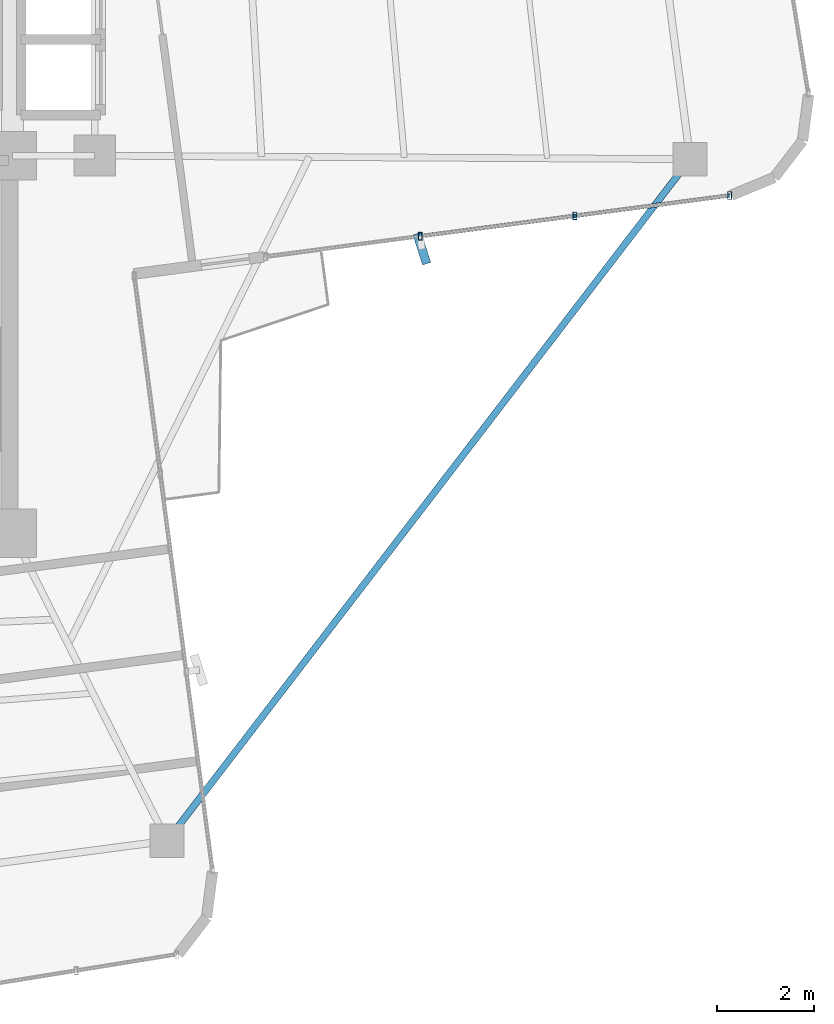
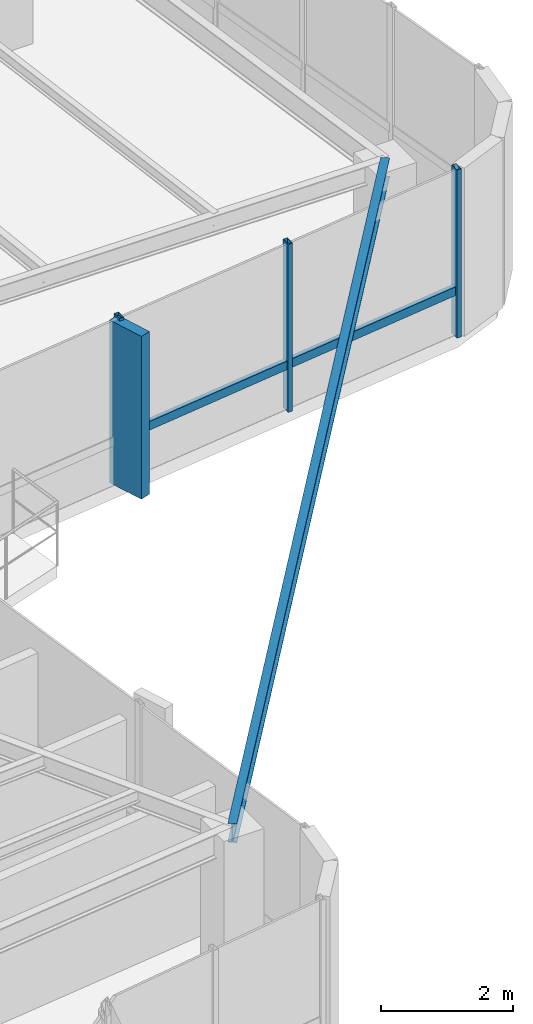
# One storey, part 12 of 22: 6 members, 1 beam, 1 element without a shape of its own.
"""IFC4 building model written with IfcOpenShell, lengths in metres."""

from ifc_helpers import new_model, si_unit, direction, frame, origin, origin_2d, place, context, subcontext, project, spatial, rectangle, hollow_rectangle, i_section, extrude, source, transform, mapped, material, material_profile, profile_set, type_object, element, aggregate, save


model = new_model("IFC4")

# Units and contexts
model_context = context("Model", 3, precision=1e-05, world=origin(), true_north=direction((0.0, 1.0)))
body_context = subcontext(model_context, "Body", "Model", "MODEL_VIEW")
ifc_project = project(units=[si_unit("LENGTHUNIT", "METRE"), si_unit("AREAUNIT", "SQUARE_METRE"), si_unit("VOLUMEUNIT", "CUBIC_METRE"), si_unit("PLANEANGLEUNIT", "RADIAN"), si_unit("MASSUNIT", "GRAM", prefix="KILO")], contexts=[model_context])

# Site, building, storey
site_placement = place(None, origin())
site = spatial("IfcSite", under=ifc_project, at=site_placement, CompositionType="ELEMENT")
building_placement = place(site_placement, origin())
building = spatial("IfcBuilding", under=site, at=building_placement, Name="Sahyath Konkavel Grand Hotel", CompositionType="ELEMENT")
storey_placement = place(building_placement, frame((0.0, 0.0, 237.800048828125)))
storey = spatial("IfcBuildingStorey", under=building, at=storey_placement, Name="L66", CompositionType="ELEMENT", Elevation=237.800048828125)

# Beam
ifc_material_1 = material(Name="Steel E350", Category="steel")
ifc_material_profile_1 = material_profile(ifc_material_1, i_section(OverallWidth=0.139892578125, OverallDepth=0.35009765625, WebThickness=0.008056640625, FlangeThickness=0.01416015625, FilletRadius=0.013916015625, at=origin_2d()), Name="ISMB 350")
ifc_profile_set_1 = profile_set([ifc_material_profile_1], Name="Steel E350")
beam_type = type_object("IfcBeamType", Name="BM-ISMB350", PredefinedType="BEAM", material=ifc_profile_set_1)
shared_shape_1 = source(origin(), body_context, "Body", "SweptSolid", [
    extrude(i_section(OverallWidth=0.139892578125, OverallDepth=0.35009765625, WebThickness=0.008056640625, FlangeThickness=0.01416015625, FilletRadius=0.013916015625, at=origin_2d()), origin(), (0.0, 0.0, 1.0), 17.741455078125),
])
beam_placement = place(storey_placement, frame((17.795166015625, -2.473388671875, 2.93505859375), z_axis=(-0.60876198757, -0.793352911691, 0.0), x_axis=(0.793352911691, -0.60876198757, 0.0)))
element("IfcBeam", 1, at=beam_placement, inside=storey, type_object=beam_type, Name="L66 Re-Entrant Tie Beam SE", PredefinedType="BEAM", context=body_context, shape_type="MappedRepresentation", body=[
    mapped(shared_shape_1, transform((0.0, 0.0, 0.0), scale=1.0)),
])

# Curtain wall, members
ifc_material_2 = material(Name="Anodised Bronze Aluminium & Low-E Glazing", Category="aluminium")
curtain_wall_type = type_object("IfcCurtainWallType", Name="CW-ZONE4", PredefinedType="NOTDEFINED", material=ifc_material_2)
curtain_wall_placement = place(storey_placement, origin())
curtain_wall = element("IfcCurtainWall", 2, at=curtain_wall_placement, inside=storey, type_object=curtain_wall_type, Name="L66 Unitised Curtain Wall F0", PredefinedType="NOTDEFINED")
ifc_material_3 = material(Name="Anodised Bronze Aluminium", Category="aluminium")
ifc_material_profile_2 = material_profile(ifc_material_3, hollow_rectangle(XDim=0.080078125, YDim=0.159912109375, WallThickness=0.006103515625, at=origin_2d()), Name="RHS 160x80x6")
ifc_profile_set_2 = profile_set([ifc_material_profile_2], Name="Anodised Bronze Aluminium")
member_type_1 = type_object("IfcMemberType", Name="CW-MUL-160", PredefinedType="MULLION", material=ifc_profile_set_2)
shared_shape_2 = source(origin(), body_context, "Body", "SweptSolid", [
    extrude(hollow_rectangle(XDim=0.080078125, YDim=0.159912109375, WallThickness=0.006103515625, at=origin_2d()), origin(), (0.0, 0.0, 1.0), 3.10986328125),
])
member_1_placement = place(storey_placement, frame((12.2216796875, -4.064697265625, 0.0), z_axis=(0.0, 0.0, 1.0), x_axis=(1.0, 0.0, 0.0)))
member_1 = element("IfcMember", 3, at=member_1_placement, type_object=member_type_1, Name="L66 Curtain Wall Mullion F0-1", PredefinedType="MULLION", context=body_context, shape_type="MappedRepresentation", body=[
    mapped(shared_shape_2, transform((0.0, 0.0, 0.0), scale=1.0)),
])
member_2_placement = place(storey_placement, frame((15.415771484375, -3.64404296875, 0.0), z_axis=(0.0, 0.0, 1.0), x_axis=(1.0, 0.0, 0.0)))
member_2 = element("IfcMember", 4, at=member_2_placement, type_object=member_type_1, Name="L66 Curtain Wall Mullion F0-2", PredefinedType="MULLION", context=body_context, shape_type="MappedRepresentation", body=[
    mapped(shared_shape_2, transform((0.0, 0.0, 0.0), scale=1.0)),
])
member_3_placement = place(storey_placement, frame((18.60986328125, -3.223388671875, 0.0), z_axis=(0.0, 0.0, 1.0), x_axis=(1.0, 0.0, 0.0)))
member_3 = element("IfcMember", 5, at=member_3_placement, type_object=member_type_1, Name="L66 Curtain Wall Mullion F0-3", PredefinedType="MULLION", context=body_context, shape_type="MappedRepresentation", body=[
    mapped(shared_shape_2, transform((0.0, 0.0, 0.0), scale=1.0)),
])
ifc_material_4 = material(Name="Warm Buff Sandstone Cladding on Concrete C50/60", Category="masonry")
ifc_material_profile_3 = material_profile(ifc_material_4, rectangle(XDim=0.179931640625, YDim=0.64990234375, at=origin_2d()), Name="FIN 180x650")
ifc_profile_set_3 = profile_set([ifc_material_profile_3], Name="Warm Buff Sandstone Cladding on Concrete C50/60")
member_type_2 = type_object("IfcMemberType", Name="FIN-SANDSTONE-650", PredefinedType="MULLION", material=ifc_profile_set_3)
shared_shape_3 = source(origin(), body_context, "Body", "SweptSolid", [
    extrude(rectangle(XDim=0.179931640625, YDim=0.64990234375, at=origin_2d()), origin(), (0.0, 0.0, 1.0), 3.010009765625),
])
member_4_placement = place(storey_placement, frame((12.255615234375, -4.322509765625, 0.050048828125), z_axis=(0.0, 0.0, 1.0), x_axis=(0.952502159334, 0.304531831612, 0.0)))
member_4 = element("IfcMember", 6, at=member_4_placement, type_object=member_type_2, Name="L66 Sandstone Vertical Solar Fin FIN F0-1", PredefinedType="MULLION", context=body_context, shape_type="MappedRepresentation", body=[
    mapped(shared_shape_3, transform((0.0, 0.0, 0.0), scale=1.0)),
])
ifc_material_profile_4 = material_profile(ifc_material_3, hollow_rectangle(XDim=0.080078125, YDim=0.159912109375, WallThickness=0.006103515625, at=origin_2d()), Name="RHS 160x80x6")
ifc_profile_set_4 = profile_set([ifc_material_profile_4], Name="Anodised Bronze Aluminium")
member_type_3 = type_object("IfcMemberType", Name="CW-TRN-160", PredefinedType="USERDEFINED", material=ifc_profile_set_4)
shared_shape_4 = source(origin(), body_context, "Body", "SweptSolid", [
    extrude(hollow_rectangle(XDim=0.080078125, YDim=0.159912109375, WallThickness=0.006103515625, at=origin_2d()), origin(), (0.0, 0.0, 1.0), 3.2216796875),
])
member_5_placement = place(storey_placement, frame((12.2216796875, -4.064697265625, 0.849853515625), z_axis=(0.99143907075, 0.130570168838, 0.0), x_axis=(-0.130570168838, 0.99143907075, 0.0)))
member_5 = element("IfcMember", 7, at=member_5_placement, type_object=member_type_3, Name="L66 Curtain Wall Transom F0-1-spandrel", ObjectType="TRANSOM", PredefinedType="USERDEFINED", context=body_context, shape_type="MappedRepresentation", body=[
    mapped(shared_shape_4, transform((0.0, 0.0, 0.0), scale=1.0)),
])
member_6_placement = place(storey_placement, frame((15.415771484375, -3.64404296875, 0.849853515625), z_axis=(0.99143907075, 0.130570168838, 0.0), x_axis=(-0.130570168838, 0.99143907075, 0.0)))
member_6 = element("IfcMember", 8, at=member_6_placement, type_object=member_type_3, Name="L66 Curtain Wall Transom F0-2-spandrel", ObjectType="TRANSOM", PredefinedType="USERDEFINED", context=body_context, shape_type="MappedRepresentation", body=[
    mapped(shared_shape_4, transform((0.0, 0.0, 0.0), scale=1.0)),
])
aggregate(curtain_wall, [member_1, member_4, member_2, member_3, member_5, member_6])

save(model, "model.ifc")
